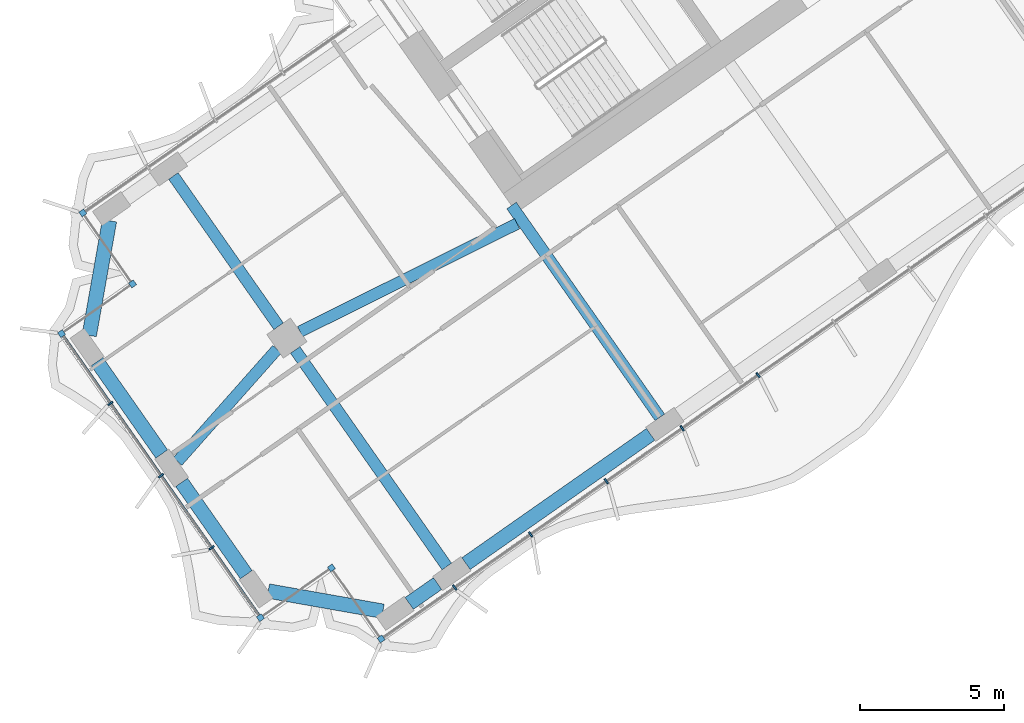
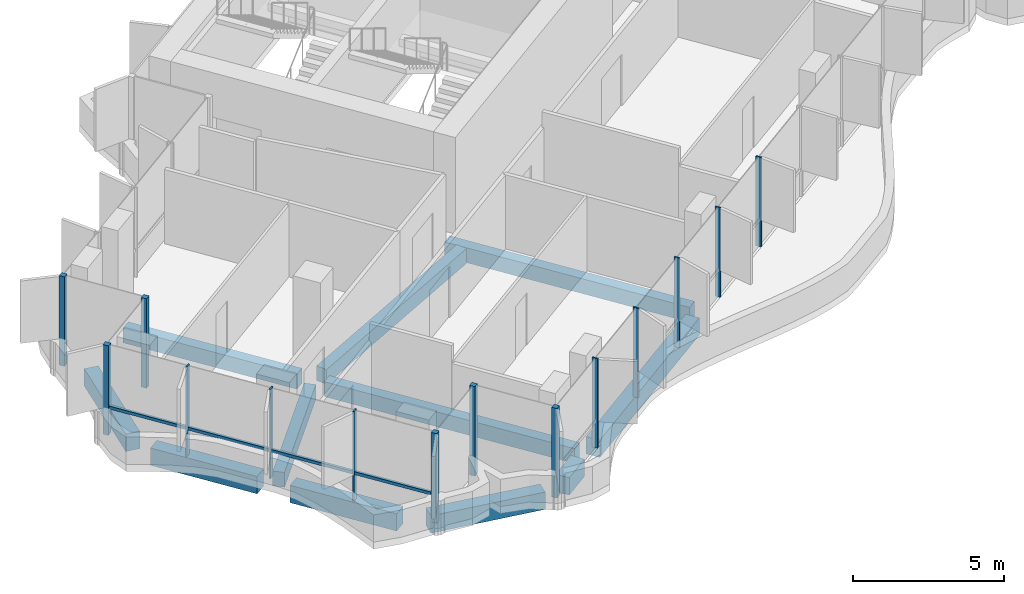
# One storey, part 2 of 23: 15 members, 11 beams, 1 element without a shape of its own.
"""IFC4 building model written with IfcOpenShell, lengths in metres."""

from ifc_helpers import new_model, si_unit, direction, frame, origin, origin_2d, place, context, subcontext, project, spatial, rectangle, extrude, material, material_profile, profile_set, type_object, element, aggregate, save


model = new_model("IFC4")

# Units and contexts
model_context = context("Model", 3, precision=1e-05, world=origin(), true_north=direction((0.0, 1.0)))
body_context = subcontext(model_context, "Body", "Model", "MODEL_VIEW")
ifc_project = project(units=[si_unit("LENGTHUNIT", "METRE"), si_unit("AREAUNIT", "SQUARE_METRE"), si_unit("VOLUMEUNIT", "CUBIC_METRE"), si_unit("PLANEANGLEUNIT", "RADIAN"), si_unit("MASSUNIT", "GRAM", prefix="KILO")], contexts=[model_context])

# Site, building, storey
site_placement = place(None, origin())
site = spatial("IfcSite", under=ifc_project, at=site_placement, CompositionType="ELEMENT")
building_placement = place(site_placement, origin())
building = spatial("IfcBuilding", under=site, at=building_placement, Name="Tel Ilan Convention Tower", CompositionType="ELEMENT")
storey_placement = place(building_placement, frame((0.0, 0.0, 186.60009765625)))
storey = spatial("IfcBuildingStorey", under=building, at=storey_placement, Name="L43", CompositionType="ELEMENT", Elevation=186.60009765625)

# Beams
ifc_material_1 = material(Name="Concrete C40/50", Category="concrete")
ifc_material_profile_1 = material_profile(ifc_material_1, rectangle(XDim=0.39990234375, YDim=0.60009765625, at=origin_2d()), Name="RC 400x600")
ifc_profile_set_1 = profile_set([ifc_material_profile_1], Name="Concrete C40/50")
beam_type_1 = type_object("IfcBeamType", Name="Beam RC 400x600 Concrete C40/50", PredefinedType="BEAM", material=ifc_profile_set_1)
beam_1_placement = place(storey_placement, frame((-16.58203125, -23.391357421875, -0.580078125), z_axis=(-0.573584999642, 0.819146048141, 0.0), x_axis=(-0.819146048141, -0.573584999642, 0.0)))
element("IfcBeam", 1, at=beam_1_placement, inside=storey, type_object=beam_type_1, Name="L43 beam W-W-F3-core", PredefinedType="BEAM", context=body_context, shape_type="SweptSolid", body=[
    extrude(rectangle(XDim=0.39990234375, YDim=0.60009765625, at=origin_2d()), origin(), (0.0, 0.0, 1.0), 8.949951171875),
])
beam_2_placement = place(storey_placement, frame((-21.52099609375, -16.686279296875, -0.580078125), z_axis=(-0.895402365524, -0.445257907076, 0.0), x_axis=(0.445257907076, -0.895402365524, 0.0)))
element("IfcBeam", 2, at=beam_2_placement, inside=storey, type_object=beam_type_1, Name="L43 beam W-core-W-M4", PredefinedType="BEAM", context=body_context, shape_type="SweptSolid", body=[
    extrude(rectangle(XDim=0.39990234375, YDim=0.60009765625, at=origin_2d()), origin(), (0.0, 0.0, 1.0), 8.3935546875),
])
beam_3_placement = place(storey_placement, frame((-29.830322265625, -21.03369140625, -0.580078125), z_axis=(-0.663175252401, -0.748464150512, 0.0), x_axis=(0.748464150512, -0.663175252401, 0.0)))
element("IfcBeam", 3, at=beam_3_placement, inside=storey, type_object=beam_type_1, Name="L43 beam W-W-M4-end", PredefinedType="BEAM", context=body_context, shape_type="SweptSolid", body=[
    extrude(rectangle(XDim=0.39990234375, YDim=0.60009765625, at=origin_2d()), origin(), (0.0, 0.0, 1.0), 5.192626953125),
])
beam_4_placement = place(storey_placement, frame((-29.20263671875, -21.058349609375, -0.580078125), z_axis=(0.573557249804, -0.819165478519, 0.0), x_axis=(0.819165478519, 0.573557249804, 0.0)))
element("IfcBeam", 4, at=beam_4_placement, inside=storey, type_object=beam_type_1, Name="L43 beam W-W-M4-W-F4", PredefinedType="BEAM", context=body_context, shape_type="SweptSolid", body=[
    extrude(rectangle(XDim=0.39990234375, YDim=0.60009765625, at=origin_2d()), origin(), (0.0, 0.0, 1.0), 9.14990234375),
])
beam_5_placement = place(storey_placement, frame((-29.7763671875, -20.2392578125, -0.580078125), z_axis=(-0.573560394383, 0.819163276762, 0.0), x_axis=(-0.819163276762, -0.573560394383, 0.0)))
element("IfcBeam", 5, at=beam_5_placement, inside=storey, type_object=beam_type_1, Name="L43 beam W-W-M4-W-B4", PredefinedType="BEAM", context=body_context, shape_type="SweptSolid", body=[
    extrude(rectangle(XDim=0.39990234375, YDim=0.60009765625, at=origin_2d()), origin(), (0.0, 0.0, 1.0), 6.349853515625),
])
ifc_material_2 = material(Name="Concrete C40/50", Category="concrete")
ifc_material_profile_2 = material_profile(ifc_material_2, rectangle(XDim=0.5, YDim=0.699951171875, at=origin_2d()), Name="RC 500x700")
ifc_profile_set_2 = profile_set([ifc_material_profile_2], Name="Concrete C40/50")
beam_type_2 = type_object("IfcBeamType", Name="Beam RC 500x700 Concrete C40/50", PredefinedType="BEAM", material=ifc_profile_set_2)
beam_6_placement = place(storey_placement, frame((-16.901611328125, -23.981201171875, -0.630126953125), z_axis=(-0.819153977895, -0.573573674866, 0.0), x_axis=(0.573573674866, -0.819153977895, 0.0)))
element("IfcBeam", 6, at=beam_6_placement, inside=storey, type_object=beam_type_2, Name="L43 beam W-W-F3-W-F4", PredefinedType="BEAM", context=body_context, shape_type="SweptSolid", body=[
    extrude(rectangle(XDim=0.5, YDim=0.699951171875, at=origin_2d()), origin(), (0.0, 0.0, 1.0), 7.800048828125),
])
beam_7_placement = place(storey_placement, frame((-24.27392578125, -29.1435546875, -0.630126953125), z_axis=(-0.819155442668, -0.573571582932, 0.0), x_axis=(0.573571582932, -0.819155442668, 0.0)))
element("IfcBeam", 7, at=beam_7_placement, inside=storey, type_object=beam_type_2, Name="L43 beam W-W-F4-W-FC", PredefinedType="BEAM", context=body_context, shape_type="SweptSolid", body=[
    extrude(rectangle(XDim=0.5, YDim=0.699951171875, at=origin_2d()), origin(), (0.0, 0.0, 1.0), 1.199951171875),
])
beam_8_placement = place(storey_placement, frame((-26.166259765625, -30.102294921875, -0.630126953125), z_axis=(-0.984804894423, 0.173664388751, 0.0), x_axis=(-0.173664388751, -0.984804894423, 0.0)))
element("IfcBeam", 8, at=beam_8_placement, inside=storey, type_object=beam_type_2, Name="L43 beam W-W-FC-W-E1", PredefinedType="BEAM", context=body_context, shape_type="SweptSolid", body=[
    extrude(rectangle(XDim=0.5, YDim=0.699951171875, at=origin_2d()), origin(), (0.0, 0.0, 1.0), 4.030517578125),
])
for number, where, z_axis, x_axis, name in (
    (9, (-30.8974609375, -28.837158203125, -0.630126953125), (-0.573609383536, 0.819128973434, 0.0), (-0.819128973434, -0.573609383536, 0.0), "L43 beam W-W-E1-W-E2"),
    (10, (-33.82275390625, -24.659423828125, -0.630126953125), (-0.573567378001, 0.81915838694, 0.0), (-0.81915838694, -0.573567378001, 0.0), "L43 beam W-W-E2-W-E3"),
):
    element("IfcBeam", number, at=place(storey_placement, frame(where, z_axis=z_axis, x_axis=x_axis)), inside=storey, type_object=beam_type_2, Name=name, PredefinedType="BEAM", context=body_context, shape_type="SweptSolid", body=[
        extrude(rectangle(XDim=0.5, YDim=0.699951171875, at=origin_2d()), origin(), (0.0, 0.0, 1.0), 3.89990234375),
    ])
beam_9_placement = place(storey_placement, frame((-36.330078125, -20.555419921875, -0.630126953125), z_axis=(0.173664388751, 0.984804894423, 0.0), x_axis=(-0.984804894423, 0.173664388751, 0.0)))
element("IfcBeam", 11, at=beam_9_placement, inside=storey, type_object=beam_type_2, Name="L43 beam W-W-E3-W-BC", PredefinedType="BEAM", context=body_context, shape_type="SweptSolid", body=[
    extrude(rectangle(XDim=0.5, YDim=0.699951171875, at=origin_2d()), origin(), (0.0, 0.0, 1.0), 4.030517578125),
])

# Curtain wall, members
ifc_material_3 = material(Name="Aluminium, bronze anodised", Category="aluminium")
curtain_wall_type = type_object("IfcCurtainWallType", Name="CW4 STICK CURTAIN WALL, OFFICE TINTED GLASS", PredefinedType="NOTDEFINED", material=ifc_material_3)
curtain_wall_placement = place(storey_placement, origin())
curtain_wall = element("IfcCurtainWall", 12, at=curtain_wall_placement, inside=storey, type_object=curtain_wall_type, Name="Curtain wall CW4-33.02", PredefinedType="NOTDEFINED")
ifc_material_4 = material(Name="Aluminium, bronze anodised", Category="aluminium")
ifc_material_profile_3 = material_profile(ifc_material_4, rectangle(XDim=0.199951171875, YDim=0.199951171875, at=origin_2d()), Name="CW CORNER MULLION 200x200")
ifc_profile_set_3 = profile_set([ifc_material_profile_3], Name="Aluminium, bronze anodised")
member_type_1 = type_object("IfcMemberType", Name="CW CORNER MULLION 200x200", PredefinedType="MULLION", material=ifc_profile_set_3)
member_1_placement = place(storey_placement, frame((-36.5517578125, -16.31591796875, 0.0), z_axis=(0.0, 0.0, 1.0), x_axis=(-0.819152044289, -0.573576436351, 0.0)))
member_1 = element("IfcMember", 13, at=member_1_placement, type_object=member_type_1, Name="Corner mullion", PredefinedType="MULLION", context=body_context, shape_type="SweptSolid", body=[
    extrude(rectangle(XDim=0.199951171875, YDim=0.199951171875, at=origin_2d()), origin(), (0.0, 0.0, 1.0), 3.619873046875),
])
member_2_placement = place(storey_placement, frame((-34.8310546875, -18.7734375, 0.0), z_axis=(0.0, 0.0, 1.0), x_axis=(0.573576436351, -0.819152044289, 0.0)))
member_2 = element("IfcMember", 14, at=member_2_placement, type_object=member_type_1, Name="Corner mullion", PredefinedType="MULLION", context=body_context, shape_type="SweptSolid", body=[
    extrude(rectangle(XDim=0.199951171875, YDim=0.199951171875, at=origin_2d()), origin(), (0.0, 0.0, 1.0), 3.619873046875),
])
member_3_placement = place(storey_placement, frame((-37.28857421875, -20.494140625, 0.0), z_axis=(0.0, 0.0, 1.0), x_axis=(-0.819152044289, -0.573576436351, 0.0)))
member_3 = element("IfcMember", 15, at=member_3_placement, type_object=member_type_1, Name="Corner mullion", PredefinedType="MULLION", context=body_context, shape_type="SweptSolid", body=[
    extrude(rectangle(XDim=0.199951171875, YDim=0.199951171875, at=origin_2d()), origin(), (0.0, 0.0, 1.0), 3.619873046875),
])
member_4_placement = place(storey_placement, frame((-30.40576171875, -30.323974609375, 0.0), z_axis=(0.0, 0.0, 1.0), x_axis=(0.573576436351, -0.819152044289, 0.0)))
member_4 = element("IfcMember", 16, at=member_4_placement, type_object=member_type_1, Name="Corner mullion", PredefinedType="MULLION", context=body_context, shape_type="SweptSolid", body=[
    extrude(rectangle(XDim=0.199951171875, YDim=0.199951171875, at=origin_2d()), origin(), (0.0, 0.0, 1.0), 3.619873046875),
])
member_5_placement = place(storey_placement, frame((-27.9482421875, -28.603271484375, 0.0), z_axis=(0.0, 0.0, 1.0), x_axis=(0.819152044289, 0.573576436351, 0.0)))
member_5 = element("IfcMember", 17, at=member_5_placement, type_object=member_type_1, Name="Corner mullion", PredefinedType="MULLION", context=body_context, shape_type="SweptSolid", body=[
    extrude(rectangle(XDim=0.199951171875, YDim=0.199951171875, at=origin_2d()), origin(), (0.0, 0.0, 1.0), 3.619873046875),
])
member_6_placement = place(storey_placement, frame((-26.2275390625, -31.060791015625, 0.0), z_axis=(0.0, 0.0, 1.0), x_axis=(0.573576436351, -0.819152044289, 0.0)))
member_6 = element("IfcMember", 18, at=member_6_placement, type_object=member_type_1, Name="Corner mullion", PredefinedType="MULLION", context=body_context, shape_type="SweptSolid", body=[
    extrude(rectangle(XDim=0.199951171875, YDim=0.199951171875, at=origin_2d()), origin(), (0.0, 0.0, 1.0), 3.619873046875),
])
ifc_material_5 = material(Name="Aluminium, bronze anodised", Category="aluminium")
ifc_material_profile_4 = material_profile(ifc_material_5, rectangle(XDim=0.06005859375, YDim=0.199951171875, at=origin_2d()), Name="CW MULLION 60x200")
ifc_profile_set_4 = profile_set([ifc_material_profile_4], Name="Aluminium, bronze anodised")
member_type_2 = type_object("IfcMemberType", Name="CW MULLION 60x200", PredefinedType="MULLION", material=ifc_profile_set_4)
member_7_placement = place(storey_placement, frame((-35.596435546875, -22.91064453125, 0.0), z_axis=(0.0, 0.0, 1.0), x_axis=(0.573576436351, -0.819152044289, 0.0)))
member_7 = element("IfcMember", 19, at=member_7_placement, type_object=member_type_2, Name="Mullion", PredefinedType="MULLION", context=body_context, shape_type="SweptSolid", body=[
    extrude(rectangle(XDim=0.06005859375, YDim=0.199951171875, at=origin_2d()), origin(), (0.0, 0.0, 1.0), 3.619873046875),
])
member_8_placement = place(storey_placement, frame((-33.84716796875, -25.4091796875, 0.0), z_axis=(0.0, 0.0, 1.0), x_axis=(0.573576436351, -0.819152044289, 0.0)))
member_8 = element("IfcMember", 20, at=member_8_placement, type_object=member_type_2, Name="Mullion", PredefinedType="MULLION", context=body_context, shape_type="SweptSolid", body=[
    extrude(rectangle(XDim=0.06005859375, YDim=0.199951171875, at=origin_2d()), origin(), (0.0, 0.0, 1.0), 3.619873046875),
])
member_9_placement = place(storey_placement, frame((-32.09765625, -27.907470703125, 0.0), z_axis=(0.0, 0.0, 1.0), x_axis=(0.573576436351, -0.819152044289, 0.0)))
member_9 = element("IfcMember", 21, at=member_9_placement, type_object=member_type_2, Name="Mullion", PredefinedType="MULLION", context=body_context, shape_type="SweptSolid", body=[
    extrude(rectangle(XDim=0.06005859375, YDim=0.199951171875, at=origin_2d()), origin(), (0.0, 0.0, 1.0), 3.619873046875),
])
member_10_placement = place(storey_placement, frame((-23.68408203125, -29.27978515625, 0.0), z_axis=(0.0, 0.0, 1.0), x_axis=(0.819152044289, 0.573576436351, 0.0)))
member_10 = element("IfcMember", 22, at=member_10_placement, type_object=member_type_2, Name="Mullion", PredefinedType="MULLION", context=body_context, shape_type="SweptSolid", body=[
    extrude(rectangle(XDim=0.06005859375, YDim=0.199951171875, at=origin_2d()), origin(), (0.0, 0.0, 1.0), 3.619873046875),
])
member_11_placement = place(storey_placement, frame((-21.05908203125, -27.441650390625, 0.0), z_axis=(0.0, 0.0, 1.0), x_axis=(0.819152044289, 0.573576436351, 0.0)))
member_11 = element("IfcMember", 23, at=member_11_placement, type_object=member_type_2, Name="Mullion", PredefinedType="MULLION", context=body_context, shape_type="SweptSolid", body=[
    extrude(rectangle(XDim=0.06005859375, YDim=0.199951171875, at=origin_2d()), origin(), (0.0, 0.0, 1.0), 3.619873046875),
])
member_12_placement = place(storey_placement, frame((-18.433837890625, -25.603515625, 0.0), z_axis=(0.0, 0.0, 1.0), x_axis=(0.819152044289, 0.573576436351, 0.0)))
member_12 = element("IfcMember", 24, at=member_12_placement, type_object=member_type_2, Name="Mullion", PredefinedType="MULLION", context=body_context, shape_type="SweptSolid", body=[
    extrude(rectangle(XDim=0.06005859375, YDim=0.199951171875, at=origin_2d()), origin(), (0.0, 0.0, 1.0), 3.619873046875),
])
member_13_placement = place(storey_placement, frame((-15.80859375, -23.765380859375, 0.0), z_axis=(0.0, 0.0, 1.0), x_axis=(0.819152044289, 0.573576436351, 0.0)))
member_13 = element("IfcMember", 25, at=member_13_placement, type_object=member_type_2, Name="Mullion", PredefinedType="MULLION", context=body_context, shape_type="SweptSolid", body=[
    extrude(rectangle(XDim=0.06005859375, YDim=0.199951171875, at=origin_2d()), origin(), (0.0, 0.0, 1.0), 3.619873046875),
])
member_14_placement = place(storey_placement, frame((-13.183349609375, -21.92724609375, 0.0), z_axis=(0.0, 0.0, 1.0), x_axis=(0.819152044289, 0.573576436351, 0.0)))
member_14 = element("IfcMember", 26, at=member_14_placement, type_object=member_type_2, Name="Mullion", PredefinedType="MULLION", context=body_context, shape_type="SweptSolid", body=[
    extrude(rectangle(XDim=0.06005859375, YDim=0.199951171875, at=origin_2d()), origin(), (0.0, 0.0, 1.0), 3.619873046875),
])
ifc_material_6 = material(Name="Aluminium, bronze anodised", Category="aluminium")
ifc_material_profile_5 = material_profile(ifc_material_6, rectangle(XDim=0.10009765625, YDim=0.1201171875, at=origin_2d()), Name="CW TRANSOM 100x120")
ifc_profile_set_5 = profile_set([ifc_material_profile_5], Name="Aluminium, bronze anodised")
member_type_3 = type_object("IfcMemberType", Name="CW TRANSOM 100x120", PredefinedType="USERDEFINED", material=ifc_profile_set_5)
member_15_placement = place(storey_placement, frame((-37.231201171875, -20.576171875, 1.099853515625), z_axis=(0.573567872435, -0.819158040741, 0.0), x_axis=(0.819158040741, 0.573567872435, 0.0)))
member_15 = element("IfcMember", 27, at=member_15_placement, type_object=member_type_3, Name="Transom", ObjectType="TRANSOM", PredefinedType="USERDEFINED", context=body_context, shape_type="SweptSolid", body=[
    extrude(rectangle(XDim=0.10009765625, YDim=0.1201171875, at=origin_2d()), origin(), (0.0, 0.0, 1.0), 11.800048828125),
])
aggregate(curtain_wall, [member_1, member_2, member_3, member_7, member_8, member_9, member_4, member_15, member_5, member_6, member_10, member_11, member_12, member_13, member_14])

save(model, "model.ifc")
